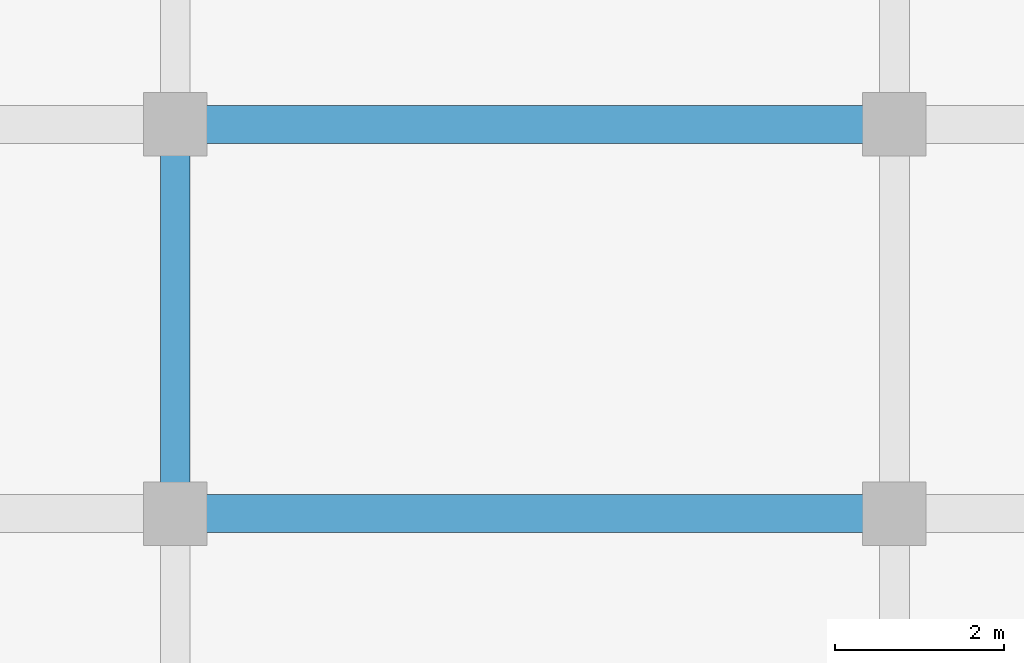
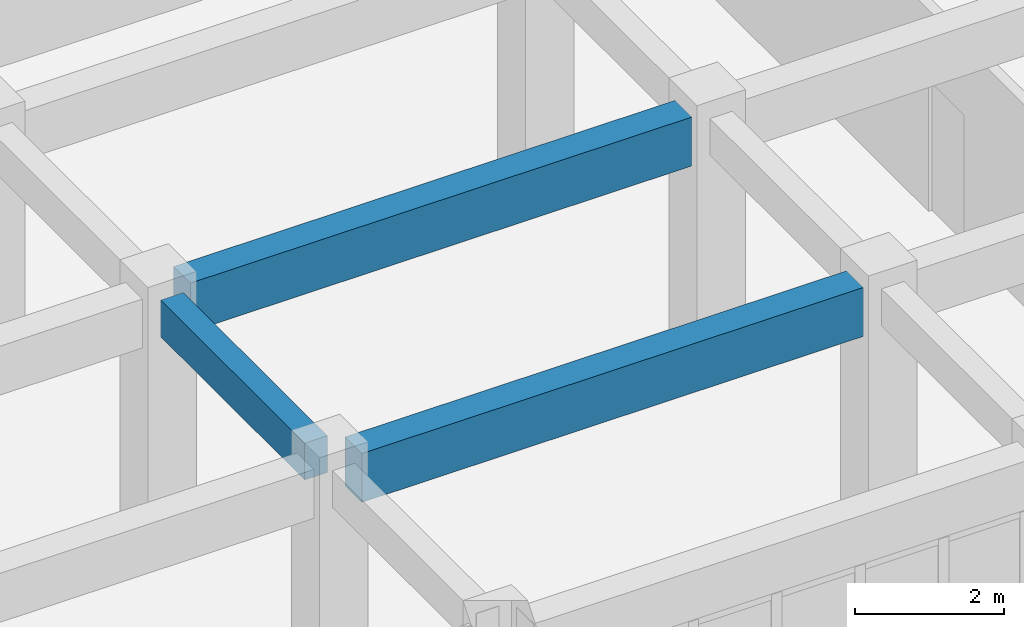
# One storey, part 13 of 90: 3 beams.
"""IFC4 building model written with IfcOpenShell, lengths in metres."""

from ifc_helpers import new_model, si_unit, direction, frame, origin, origin_2d, place, context, subcontext, project, spatial, rectangle, extrude, material, material_profile, profile_set, type_object, element, save


model = new_model("IFC4")

# Units and contexts
model_context = context("Model", 3, precision=1e-05, world=origin(), true_north=direction((0.0, 1.0)))
body_context = subcontext(model_context, "Body", "Model", "MODEL_VIEW")
ifc_project = project(units=[si_unit("LENGTHUNIT", "METRE"), si_unit("AREAUNIT", "SQUARE_METRE"), si_unit("VOLUMEUNIT", "CUBIC_METRE"), si_unit("PLANEANGLEUNIT", "RADIAN"), si_unit("MASSUNIT", "GRAM", prefix="KILO")], contexts=[model_context])

# Site, building, storey
site_placement = place(None, origin())
site = spatial("IfcSite", under=ifc_project, at=site_placement, CompositionType="ELEMENT")
building_placement = place(site_placement, origin())
building = spatial("IfcBuilding", under=site, at=building_placement, Name="Muzn Square Opera House", CompositionType="ELEMENT")
storey_placement = place(building_placement, frame((0.0, 0.0, 9.800048828125)))
storey = spatial("IfcBuildingStorey", under=building, at=storey_placement, Name="L02", CompositionType="ELEMENT", Elevation=9.800048828125)

# Beams
ifc_material = material(Name="Concrete C40/50", Category="concrete")
ifc_material_profile_1 = material_profile(ifc_material, rectangle(XDim=0.35009765625, YDim=0.60009765625, at=origin_2d()), Name="RCB 350x600", Category="concrete")
ifc_profile_set_1 = profile_set([ifc_material_profile_1], Name="Concrete C40/50")
beam_type_1 = type_object("IfcBeamType", Name="Primary Girder 350x600", PredefinedType="BEAM", material=ifc_profile_set_1)
beam_placement = place(storey_placement, frame((26.5, 59.1669921875, 3.820068359375), z_axis=(0.0, 1.0, 0.0), x_axis=(-1.0, 0.0, 0.0)))
element("IfcBeam", 1, at=beam_placement, inside=storey, type_object=beam_type_1, Name="Primary Girder BM-L02-BM-PG600-265_592_265_630-2135", PredefinedType="BEAM", context=body_context, shape_type="SweptSolid", body=[
    extrude(rectangle(XDim=0.35009765625, YDim=0.60009765625, at=origin_2d()), origin(), (0.0, 0.0, 1.0), 3.865966796875),
])
ifc_material_profile_2 = material_profile(ifc_material, rectangle(XDim=0.449951171875, YDim=0.800048828125, at=origin_2d()), Name="RCB 450x800", Category="concrete")
ifc_profile_set_2 = profile_set([ifc_material_profile_2], Name="Concrete C40/50")
beam_type_2 = type_object("IfcBeamType", Name="Primary Girder 450x800", PredefinedType="BEAM", material=ifc_profile_set_2)
for number, where, z_axis, x_axis, name in (
    (2, (26.866943359375, 58.800048828125, 3.719970703125), (1.0, 0.0, 0.0), (0.0, 1.0, 0.0), "Primary Girder BM-L02-BM-PG800-269_588_346_588-2016"),
    (3, (26.866943359375, 63.39990234375, 3.719970703125), (1.0, 0.0, 0.0), (0.0, 1.0, 0.0), "Primary Girder BM-L02-BM-PG800-269_634_346_634-2024"),
):
    element("IfcBeam", number, at=place(storey_placement, frame(where, z_axis=z_axis, x_axis=x_axis)), inside=storey, type_object=beam_type_2, Name=name, PredefinedType="BEAM", context=body_context, shape_type="SweptSolid", body=[
        extrude(rectangle(XDim=0.449951171875, YDim=0.800048828125, at=origin_2d()), origin(), (0.0, 0.0, 1.0), 7.76611328125),
    ])

save(model, "model.ifc")
